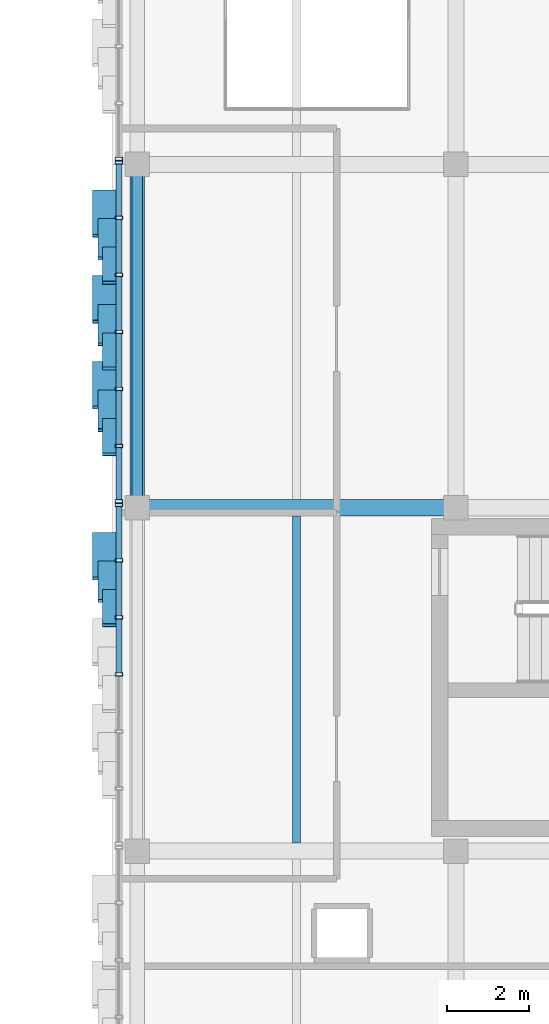
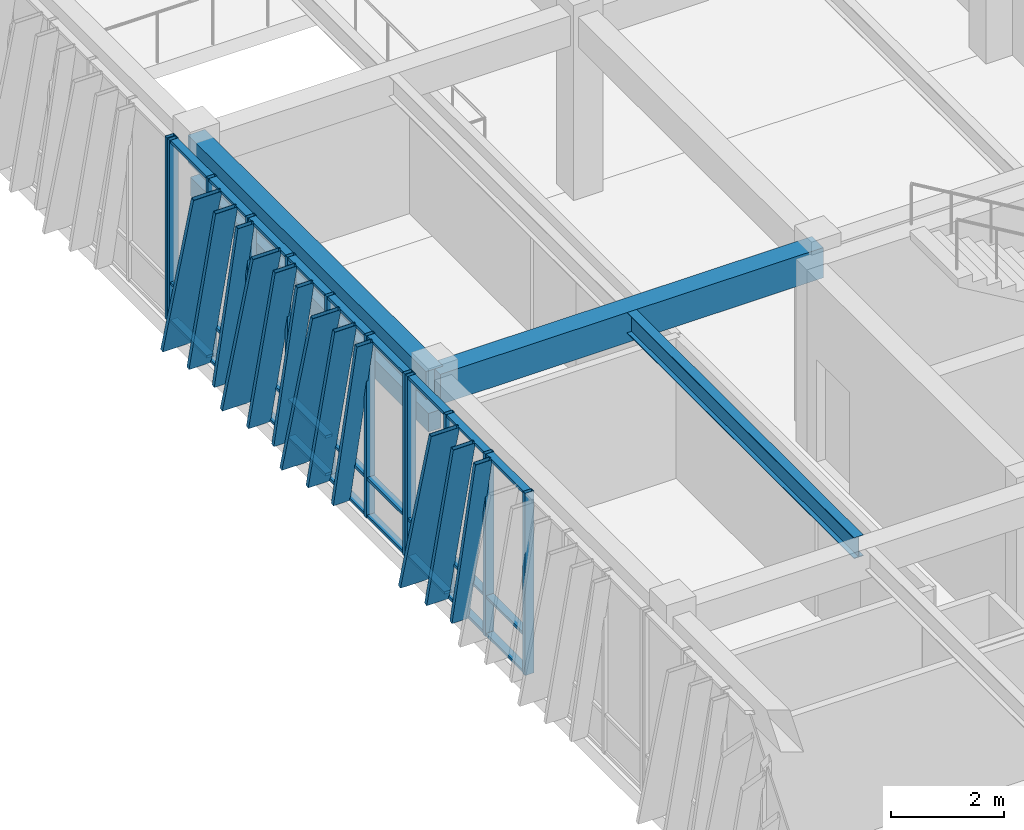
# One storey, part 31 of 127: 51 members, 4 beams, 3 elements without a shape of their own.
"""IFC4 building model written with IfcOpenShell, lengths in metres."""

from ifc_helpers import new_model, si_unit, direction, frame, origin, origin_2d, place, context, subcontext, project, spatial, rectangle, hollow_rectangle, i_section, extrude, material, layer, layer_set, material_profile, profile_set, type_object, element, aggregate, save


model = new_model("IFC4")

# Units and contexts
model_context = context("Model", 3, precision=1e-05, world=origin(), true_north=direction((0.0, 1.0)))
body_context = subcontext(model_context, "Body", "Model", "MODEL_VIEW")
ifc_project = project(units=[si_unit("LENGTHUNIT", "METRE"), si_unit("AREAUNIT", "SQUARE_METRE"), si_unit("VOLUMEUNIT", "CUBIC_METRE"), si_unit("PLANEANGLEUNIT", "RADIAN"), si_unit("MASSUNIT", "GRAM", prefix="KILO")], contexts=[model_context])

# Site, building, storey
site_placement = place(None, origin())
site = spatial("IfcSite", under=ifc_project, at=site_placement, CompositionType="ELEMENT")
building_placement = place(site_placement, origin())
building = spatial("IfcBuilding", under=site, at=building_placement, Name="Zayran Congress Hotel", CompositionType="ELEMENT")
storey_placement = place(building_placement, frame((0.0, 0.0, 10.800048828125)))
storey = spatial("IfcBuildingStorey", under=building, at=storey_placement, Name="L02", CompositionType="ELEMENT", Elevation=10.800048828125)

# Beams
ifc_material_1 = material(Name="Concrete C40/50", Category="concrete")
ifc_material_profile_1 = material_profile(ifc_material_1, rectangle(XDim=0.39990234375, YDim=0.64990234375, at=origin_2d()), Name="RC 400x650")
ifc_profile_set_1 = profile_set([ifc_material_profile_1], Name="Concrete C40/50")
beam_type_1 = type_object("IfcBeamType", Name="TP-BM-03", PredefinedType="BEAM", material=ifc_profile_set_1)
beam_1_placement = place(storey_placement, frame((109.800048828125, 59.199951171875, 3.594970703125), z_axis=(1.0, 0.0, 0.0), x_axis=(0.0, 1.0, 0.0)))
element("IfcBeam", 1, at=beam_1_placement, inside=storey, type_object=beam_type_1, Name="BM-V4-L02-1418", PredefinedType="BEAM", context=body_context, shape_type="SweptSolid", body=[
    extrude(rectangle(XDim=0.39990234375, YDim=0.64990234375, at=origin_2d()), origin(), (0.0, 0.0, 1.0), 7.800048828125),
])
ifc_material_profile_2 = material_profile(ifc_material_1, rectangle(XDim=0.35009765625, YDim=0.60009765625, at=origin_2d()), Name="RC 350x600")
ifc_profile_set_2 = profile_set([ifc_material_profile_2], Name="Concrete C40/50")
beam_type_2 = type_object("IfcBeamType", Name="TP-SP-01", PredefinedType="SPANDREL", material=ifc_profile_set_2)
beam_2_placement = place(storey_placement, frame((109.800048828125, 59.199951171875, 3.619873046875), z_axis=(0.0, 1.0, 0.0), x_axis=(-1.0, 0.0, 0.0)))
element("IfcBeam", 2, at=beam_2_placement, inside=storey, type_object=beam_type_2, Name="BM-V4-L02-1441", PredefinedType="SPANDREL", context=body_context, shape_type="SweptSolid", body=[
    extrude(rectangle(XDim=0.35009765625, YDim=0.60009765625, at=origin_2d()), origin(), (0.0, 0.0, 1.0), 8.400146484375),
])
ifc_material_profile_3 = material_profile(ifc_material_1, rectangle(XDim=0.25, YDim=0.39990234375, at=origin_2d()), Name="RC 250x400")
ifc_profile_set_3 = profile_set([ifc_material_profile_3], Name="Concrete C40/50")
beam_type_3 = type_object("IfcBeamType", Name="TP-LN-01", PredefinedType="LINTEL", material=ifc_profile_set_3)
beam_3_placement = place(storey_placement, frame((109.800048828125, 59.199951171875, 2.800048828125), z_axis=(0.0, 1.0, 0.0), x_axis=(-1.0, 0.0, 0.0)))
element("IfcBeam", 3, at=beam_3_placement, inside=storey, type_object=beam_type_3, Name="BM-LIN-10", PredefinedType="LINTEL", context=body_context, shape_type="SweptSolid", body=[
    extrude(rectangle(XDim=0.25, YDim=0.39990234375, at=origin_2d()), origin(), (0.0, 0.0, 1.0), 8.400146484375),
])
ifc_material_2 = material(Name="Steel S355", Category="steel")
ifc_material_profile_4 = material_profile(ifc_material_2, i_section(OverallWidth=0.18994140625, OverallDepth=0.449951171875, WebThickness=0.009521484375, FlangeThickness=0.0146484375, at=origin_2d()), Name="IPE 450")
ifc_profile_set_4 = profile_set([ifc_material_profile_4], Name="Steel S355")
beam_type_4 = type_object("IfcBeamType", Name="TP-JS-02", PredefinedType="JOIST", material=ifc_profile_set_4)
beam_4_placement = place(storey_placement, frame((113.699951171875, 51.0, 3.695068359375), z_axis=(0.0, 1.0, 0.0), x_axis=(-1.0, 0.0, 0.0)))
element("IfcBeam", 4, at=beam_4_placement, inside=storey, type_object=beam_type_4, Name="JST-V4-L02-1470", PredefinedType="JOIST", context=body_context, shape_type="SweptSolid", body=[
    extrude(i_section(OverallWidth=0.18994140625, OverallDepth=0.449951171875, WebThickness=0.009521484375, FlangeThickness=0.0146484375, at=origin_2d()), origin(), (0.0, 0.0, 1.0), 8.0),
])

# Curtain wall, members
ifc_material_3 = material(Name="Anodised aluminium and low-E insulated glass", Category="aluminium")
ifc_layer_1 = layer(ifc_material_3, 0.179931640625)
ifc_layer_set_1 = layer_set([ifc_layer_1], Name="Anodised aluminium and low-E insulated glass")
curtain_wall_type_1 = type_object("IfcCurtainWallType", Name="CW-V4W-L02-CW-52-8371-3920", PredefinedType="USERDEFINED", material=ifc_layer_set_1)
curtain_wall_1_placement = place(storey_placement, origin())
curtain_wall_1 = element("IfcCurtainWall", 5, at=curtain_wall_1_placement, inside=storey, type_object=curtain_wall_type_1, Name="CW-V4W-L02-1", ObjectType="CURTAIN WALL", PredefinedType="USERDEFINED")
ifc_material_4 = material(Name="Anodised aluminium framing", Category="aluminium")
ifc_material_profile_5 = material_profile(ifc_material_4, hollow_rectangle(XDim=0.080078125, YDim=0.179931640625, WallThickness=0.0048828125, at=origin_2d()), Name="RHS 180x80x5")
ifc_profile_set_5 = profile_set([ifc_material_profile_5], Name="Anodised aluminium framing")
member_type_1 = type_object("IfcMemberType", Name="TP-CWM-01", PredefinedType="MULLION", material=ifc_profile_set_5)
member_1_placement = place(storey_placement, frame((109.35009765625, 59.26708984375, 0.0), z_axis=(0.0, 0.0, 1.0), x_axis=(0.0, 1.0, 0.0)))
member_1 = element("IfcMember", 6, at=member_1_placement, type_object=member_type_1, Name="CW-V4W-L02-1-M00", PredefinedType="MULLION", context=body_context, shape_type="SweptSolid", body=[
    extrude(hollow_rectangle(XDim=0.080078125, YDim=0.179931640625, WallThickness=0.0048828125, at=origin_2d()), origin(), (0.0, 0.0, 1.0), 3.919921875),
])
member_2_placement = place(storey_placement, frame((109.35009765625, 57.911865234375, 0.0), z_axis=(0.0, 0.0, 1.0), x_axis=(0.0, 1.0, 0.0)))
member_2 = element("IfcMember", 7, at=member_2_placement, type_object=member_type_1, Name="CW-V4W-L02-1-M01", PredefinedType="MULLION", context=body_context, shape_type="SweptSolid", body=[
    extrude(hollow_rectangle(XDim=0.080078125, YDim=0.179931640625, WallThickness=0.0048828125, at=origin_2d()), origin(), (0.0, 0.0, 1.0), 3.919921875),
])
member_3_placement = place(storey_placement, frame((109.35009765625, 56.5166015625, 0.0), z_axis=(0.0, 0.0, 1.0), x_axis=(0.0, 1.0, 0.0)))
member_3 = element("IfcMember", 8, at=member_3_placement, type_object=member_type_1, Name="CW-V4W-L02-1-M02", PredefinedType="MULLION", context=body_context, shape_type="SweptSolid", body=[
    extrude(hollow_rectangle(XDim=0.080078125, YDim=0.179931640625, WallThickness=0.0048828125, at=origin_2d()), origin(), (0.0, 0.0, 1.0), 3.919921875),
])
member_4_placement = place(storey_placement, frame((109.35009765625, 55.12158203125, 0.0), z_axis=(0.0, 0.0, 1.0), x_axis=(0.0, 1.0, 0.0)))
member_4 = element("IfcMember", 9, at=member_4_placement, type_object=member_type_1, Name="CW-V4W-L02-1-M03", PredefinedType="MULLION", context=body_context, shape_type="SweptSolid", body=[
    extrude(hollow_rectangle(XDim=0.080078125, YDim=0.179931640625, WallThickness=0.0048828125, at=origin_2d()), origin(), (0.0, 0.0, 1.0), 3.919921875),
])

ifc_layer_2 = layer(ifc_material_3, 0.179931640625)
ifc_layer_set_2 = layer_set([ifc_layer_2], Name="Anodised aluminium and low-E insulated glass")
curtain_wall_type_2 = type_object("IfcCurtainWallType", Name="CW-V4W-L02-CW-53-8372-3920", PredefinedType="USERDEFINED", material=ifc_layer_set_2)
curtain_wall_2_placement = place(storey_placement, origin())
curtain_wall_2 = element("IfcCurtainWall", 10, at=curtain_wall_2_placement, inside=storey, type_object=curtain_wall_type_2, Name="CW-V4W-L02-2", ObjectType="CURTAIN WALL", PredefinedType="USERDEFINED")
member_5_placement = place(storey_placement, frame((109.35009765625, 67.64892578125, 0.0), z_axis=(0.0, 0.0, 1.0), x_axis=(0.0, 1.0, 0.0)))
member_5 = element("IfcMember", 11, at=member_5_placement, type_object=member_type_1, Name="CW-V4W-L02-2-M00", PredefinedType="MULLION", context=body_context, shape_type="SweptSolid", body=[
    extrude(hollow_rectangle(XDim=0.080078125, YDim=0.179931640625, WallThickness=0.0048828125, at=origin_2d()), origin(), (0.0, 0.0, 1.0), 3.919921875),
])
member_6_placement = place(storey_placement, frame((109.35009765625, 66.293701171875, 0.0), z_axis=(0.0, 0.0, 1.0), x_axis=(0.0, 1.0, 0.0)))
member_6 = element("IfcMember", 12, at=member_6_placement, type_object=member_type_1, Name="CW-V4W-L02-2-M01", PredefinedType="MULLION", context=body_context, shape_type="SweptSolid", body=[
    extrude(hollow_rectangle(XDim=0.080078125, YDim=0.179931640625, WallThickness=0.0048828125, at=origin_2d()), origin(), (0.0, 0.0, 1.0), 3.919921875),
])
member_7_placement = place(storey_placement, frame((109.35009765625, 64.898193359375, 0.0), z_axis=(0.0, 0.0, 1.0), x_axis=(0.0, 1.0, 0.0)))
member_7 = element("IfcMember", 13, at=member_7_placement, type_object=member_type_1, Name="CW-V4W-L02-2-M02", PredefinedType="MULLION", context=body_context, shape_type="SweptSolid", body=[
    extrude(hollow_rectangle(XDim=0.080078125, YDim=0.179931640625, WallThickness=0.0048828125, at=origin_2d()), origin(), (0.0, 0.0, 1.0), 3.919921875),
])
member_8_placement = place(storey_placement, frame((109.35009765625, 63.5029296875, 0.0), z_axis=(0.0, 0.0, 1.0), x_axis=(0.0, 1.0, 0.0)))
member_8 = element("IfcMember", 14, at=member_8_placement, type_object=member_type_1, Name="CW-V4W-L02-2-M03", PredefinedType="MULLION", context=body_context, shape_type="SweptSolid", body=[
    extrude(hollow_rectangle(XDim=0.080078125, YDim=0.179931640625, WallThickness=0.0048828125, at=origin_2d()), origin(), (0.0, 0.0, 1.0), 3.919921875),
])
member_9_placement = place(storey_placement, frame((109.35009765625, 62.107666015625, 0.0), z_axis=(0.0, 0.0, 1.0), x_axis=(0.0, 1.0, 0.0)))
member_9 = element("IfcMember", 15, at=member_9_placement, type_object=member_type_1, Name="CW-V4W-L02-2-M04", PredefinedType="MULLION", context=body_context, shape_type="SweptSolid", body=[
    extrude(hollow_rectangle(XDim=0.080078125, YDim=0.179931640625, WallThickness=0.0048828125, at=origin_2d()), origin(), (0.0, 0.0, 1.0), 3.919921875),
])
member_10_placement = place(storey_placement, frame((109.35009765625, 60.71240234375, 0.0), z_axis=(0.0, 0.0, 1.0), x_axis=(0.0, 1.0, 0.0)))
member_10 = element("IfcMember", 16, at=member_10_placement, type_object=member_type_1, Name="CW-V4W-L02-2-M05", PredefinedType="MULLION", context=body_context, shape_type="SweptSolid", body=[
    extrude(hollow_rectangle(XDim=0.080078125, YDim=0.179931640625, WallThickness=0.0048828125, at=origin_2d()), origin(), (0.0, 0.0, 1.0), 3.919921875),
])
member_11_placement = place(storey_placement, frame((109.35009765625, 59.35693359375, 0.0), z_axis=(0.0, 0.0, 1.0), x_axis=(0.0, 1.0, 0.0)))
member_11 = element("IfcMember", 17, at=member_11_placement, type_object=member_type_1, Name="CW-V4W-L02-2-M06", PredefinedType="MULLION", context=body_context, shape_type="SweptSolid", body=[
    extrude(hollow_rectangle(XDim=0.080078125, YDim=0.179931640625, WallThickness=0.0048828125, at=origin_2d()), origin(), (0.0, 0.0, 1.0), 3.919921875),
])

# Curtain wall, member
ifc_layer_3 = layer(ifc_material_3, 0.179931640625)
ifc_layer_set_3 = layer_set([ifc_layer_3], Name="Anodised aluminium and low-E insulated glass")
curtain_wall_type_3 = type_object("IfcCurtainWallType", Name="CW-V4W-L02-CW-51-8371-3920", PredefinedType="USERDEFINED", material=ifc_layer_set_3)
curtain_wall_3_placement = place(storey_placement, origin())
curtain_wall_3 = element("IfcCurtainWall", 18, at=curtain_wall_3_placement, inside=storey, type_object=curtain_wall_type_3, Name="CW-V4W-L02-3", ObjectType="CURTAIN WALL", PredefinedType="USERDEFINED")
member_12_placement = place(storey_placement, frame((109.35009765625, 67.739013671875, 0.0), z_axis=(0.0, 0.0, 1.0), x_axis=(0.0, 1.0, 0.0)))
member_12 = element("IfcMember", 19, at=member_12_placement, type_object=member_type_1, Name="CW-V4W-L02-3-M06", PredefinedType="MULLION", context=body_context, shape_type="SweptSolid", body=[
    extrude(hollow_rectangle(XDim=0.080078125, YDim=0.179931640625, WallThickness=0.0048828125, at=origin_2d()), origin(), (0.0, 0.0, 1.0), 3.919921875),
])
aggregate(curtain_wall_3, [member_12])

# Member
ifc_material_profile_6 = material_profile(ifc_material_4, hollow_rectangle(XDim=0.06005859375, YDim=0.14990234375, WallThickness=0.00390625, at=origin_2d()), Name="RHS 150x60x4")
ifc_profile_set_6 = profile_set([ifc_material_profile_6], Name="Anodised aluminium framing")
member_type_2 = type_object("IfcMemberType", Name="TP-CWT-01", PredefinedType="USERDEFINED", material=ifc_profile_set_6)
member_13_placement = place(storey_placement, frame((109.35009765625, 59.22705078125, 0.030029296875), z_axis=(0.0, -1.0, 0.0), x_axis=(0.0, 0.0, 1.0)))
member_13 = element("IfcMember", 20, at=member_13_placement, type_object=member_type_2, Name="CW-V4W-L02-1-T00-0", ObjectType="TRANSOM", PredefinedType="USERDEFINED", context=body_context, shape_type="SweptSolid", body=[
    extrude(hollow_rectangle(XDim=0.06005859375, YDim=0.14990234375, WallThickness=0.00390625, at=origin_2d()), origin(), (0.0, 0.0, 1.0), 1.275146484375),
])

member_14_placement = place(storey_placement, frame((109.35009765625, 59.22705078125, 0.83984375), z_axis=(0.0, -1.0, 0.0), x_axis=(0.0, 0.0, 1.0)))
member_14 = element("IfcMember", 21, at=member_14_placement, type_object=member_type_2, Name="CW-V4W-L02-1-T00-1", ObjectType="TRANSOM", PredefinedType="USERDEFINED", context=body_context, shape_type="SweptSolid", body=[
    extrude(hollow_rectangle(XDim=0.06005859375, YDim=0.14990234375, WallThickness=0.00390625, at=origin_2d()), origin(), (0.0, 0.0, 1.0), 1.275146484375),
])

member_15_placement = place(storey_placement, frame((109.35009765625, 59.22705078125, 3.889892578125), z_axis=(0.0, -1.0, 0.0), x_axis=(0.0, 0.0, 1.0)))
member_15 = element("IfcMember", 22, at=member_15_placement, type_object=member_type_2, Name="CW-V4W-L02-1-T00-2", ObjectType="TRANSOM", PredefinedType="USERDEFINED", context=body_context, shape_type="SweptSolid", body=[
    extrude(hollow_rectangle(XDim=0.06005859375, YDim=0.14990234375, WallThickness=0.00390625, at=origin_2d()), origin(), (0.0, 0.0, 1.0), 1.275146484375),
])

member_16_placement = place(storey_placement, frame((109.35009765625, 57.871826171875, 0.030029296875), z_axis=(0.0, -1.0, 0.0), x_axis=(0.0, 0.0, 1.0)))
member_16 = element("IfcMember", 23, at=member_16_placement, type_object=member_type_2, Name="CW-V4W-L02-1-T01-0", ObjectType="TRANSOM", PredefinedType="USERDEFINED", context=body_context, shape_type="SweptSolid", body=[
    extrude(hollow_rectangle(XDim=0.06005859375, YDim=0.14990234375, WallThickness=0.00390625, at=origin_2d()), origin(), (0.0, 0.0, 1.0), 1.315185546875),
])

member_17_placement = place(storey_placement, frame((109.35009765625, 57.871826171875, 0.83984375), z_axis=(0.0, -1.0, 0.0), x_axis=(0.0, 0.0, 1.0)))
member_17 = element("IfcMember", 24, at=member_17_placement, type_object=member_type_2, Name="CW-V4W-L02-1-T01-1", ObjectType="TRANSOM", PredefinedType="USERDEFINED", context=body_context, shape_type="SweptSolid", body=[
    extrude(hollow_rectangle(XDim=0.06005859375, YDim=0.14990234375, WallThickness=0.00390625, at=origin_2d()), origin(), (0.0, 0.0, 1.0), 1.315185546875),
])

member_18_placement = place(storey_placement, frame((109.35009765625, 57.871826171875, 3.889892578125), z_axis=(0.0, -1.0, 0.0), x_axis=(0.0, 0.0, 1.0)))
member_18 = element("IfcMember", 25, at=member_18_placement, type_object=member_type_2, Name="CW-V4W-L02-1-T01-2", ObjectType="TRANSOM", PredefinedType="USERDEFINED", context=body_context, shape_type="SweptSolid", body=[
    extrude(hollow_rectangle(XDim=0.06005859375, YDim=0.14990234375, WallThickness=0.00390625, at=origin_2d()), origin(), (0.0, 0.0, 1.0), 1.315185546875),
])

member_19_placement = place(storey_placement, frame((109.35009765625, 56.476806640625, 0.030029296875), z_axis=(0.0, -1.0, 0.0), x_axis=(0.0, 0.0, 1.0)))
member_19 = element("IfcMember", 26, at=member_19_placement, type_object=member_type_2, Name="CW-V4W-L02-1-T02-0", ObjectType="TRANSOM", PredefinedType="USERDEFINED", context=body_context, shape_type="SweptSolid", body=[
    extrude(hollow_rectangle(XDim=0.06005859375, YDim=0.14990234375, WallThickness=0.00390625, at=origin_2d()), origin(), (0.0, 0.0, 1.0), 1.315185546875),
])

member_20_placement = place(storey_placement, frame((109.35009765625, 56.476806640625, 0.83984375), z_axis=(0.0, -1.0, 0.0), x_axis=(0.0, 0.0, 1.0)))
member_20 = element("IfcMember", 27, at=member_20_placement, type_object=member_type_2, Name="CW-V4W-L02-1-T02-1", ObjectType="TRANSOM", PredefinedType="USERDEFINED", context=body_context, shape_type="SweptSolid", body=[
    extrude(hollow_rectangle(XDim=0.06005859375, YDim=0.14990234375, WallThickness=0.00390625, at=origin_2d()), origin(), (0.0, 0.0, 1.0), 1.315185546875),
])

member_21_placement = place(storey_placement, frame((109.35009765625, 56.476806640625, 3.889892578125), z_axis=(0.0, -1.0, 0.0), x_axis=(0.0, 0.0, 1.0)))
member_21 = element("IfcMember", 28, at=member_21_placement, type_object=member_type_2, Name="CW-V4W-L02-1-T02-2", ObjectType="TRANSOM", PredefinedType="USERDEFINED", context=body_context, shape_type="SweptSolid", body=[
    extrude(hollow_rectangle(XDim=0.06005859375, YDim=0.14990234375, WallThickness=0.00390625, at=origin_2d()), origin(), (0.0, 0.0, 1.0), 1.315185546875),
])

member_22_placement = place(storey_placement, frame((109.35009765625, 67.60888671875, 0.030029296875), z_axis=(0.0, -1.0, 0.0), x_axis=(0.0, 0.0, 1.0)))
member_22 = element("IfcMember", 29, at=member_22_placement, type_object=member_type_2, Name="CW-V4W-L02-2-T00-0", ObjectType="TRANSOM", PredefinedType="USERDEFINED", context=body_context, shape_type="SweptSolid", body=[
    extrude(hollow_rectangle(XDim=0.06005859375, YDim=0.14990234375, WallThickness=0.00390625, at=origin_2d()), origin(), (0.0, 0.0, 1.0), 1.275146484375),
])

member_23_placement = place(storey_placement, frame((109.35009765625, 67.60888671875, 0.83984375), z_axis=(0.0, -1.0, 0.0), x_axis=(0.0, 0.0, 1.0)))
member_23 = element("IfcMember", 30, at=member_23_placement, type_object=member_type_2, Name="CW-V4W-L02-2-T00-1", ObjectType="TRANSOM", PredefinedType="USERDEFINED", context=body_context, shape_type="SweptSolid", body=[
    extrude(hollow_rectangle(XDim=0.06005859375, YDim=0.14990234375, WallThickness=0.00390625, at=origin_2d()), origin(), (0.0, 0.0, 1.0), 1.275146484375),
])

member_24_placement = place(storey_placement, frame((109.35009765625, 67.60888671875, 3.889892578125), z_axis=(0.0, -1.0, 0.0), x_axis=(0.0, 0.0, 1.0)))
member_24 = element("IfcMember", 31, at=member_24_placement, type_object=member_type_2, Name="CW-V4W-L02-2-T00-2", ObjectType="TRANSOM", PredefinedType="USERDEFINED", context=body_context, shape_type="SweptSolid", body=[
    extrude(hollow_rectangle(XDim=0.06005859375, YDim=0.14990234375, WallThickness=0.00390625, at=origin_2d()), origin(), (0.0, 0.0, 1.0), 1.275146484375),
])

member_25_placement = place(storey_placement, frame((109.35009765625, 66.253662109375, 0.030029296875), z_axis=(0.0, -1.0, 0.0), x_axis=(0.0, 0.0, 1.0)))
member_25 = element("IfcMember", 32, at=member_25_placement, type_object=member_type_2, Name="CW-V4W-L02-2-T01-0", ObjectType="TRANSOM", PredefinedType="USERDEFINED", context=body_context, shape_type="SweptSolid", body=[
    extrude(hollow_rectangle(XDim=0.06005859375, YDim=0.14990234375, WallThickness=0.00390625, at=origin_2d()), origin(), (0.0, 0.0, 1.0), 1.3154296875),
])

member_26_placement = place(storey_placement, frame((109.35009765625, 66.253662109375, 0.83984375), z_axis=(0.0, -1.0, 0.0), x_axis=(0.0, 0.0, 1.0)))
member_26 = element("IfcMember", 33, at=member_26_placement, type_object=member_type_2, Name="CW-V4W-L02-2-T01-1", ObjectType="TRANSOM", PredefinedType="USERDEFINED", context=body_context, shape_type="SweptSolid", body=[
    extrude(hollow_rectangle(XDim=0.06005859375, YDim=0.14990234375, WallThickness=0.00390625, at=origin_2d()), origin(), (0.0, 0.0, 1.0), 1.3154296875),
])

member_27_placement = place(storey_placement, frame((109.35009765625, 66.253662109375, 3.889892578125), z_axis=(0.0, -1.0, 0.0), x_axis=(0.0, 0.0, 1.0)))
member_27 = element("IfcMember", 34, at=member_27_placement, type_object=member_type_2, Name="CW-V4W-L02-2-T01-2", ObjectType="TRANSOM", PredefinedType="USERDEFINED", context=body_context, shape_type="SweptSolid", body=[
    extrude(hollow_rectangle(XDim=0.06005859375, YDim=0.14990234375, WallThickness=0.00390625, at=origin_2d()), origin(), (0.0, 0.0, 1.0), 1.3154296875),
])

member_28_placement = place(storey_placement, frame((109.35009765625, 64.8583984375, 0.030029296875), z_axis=(0.0, -1.0, 0.0), x_axis=(0.0, 0.0, 1.0)))
member_28 = element("IfcMember", 35, at=member_28_placement, type_object=member_type_2, Name="CW-V4W-L02-2-T02-0", ObjectType="TRANSOM", PredefinedType="USERDEFINED", context=body_context, shape_type="SweptSolid", body=[
    extrude(hollow_rectangle(XDim=0.06005859375, YDim=0.14990234375, WallThickness=0.00390625, at=origin_2d()), origin(), (0.0, 0.0, 1.0), 1.3154296875),
])

member_29_placement = place(storey_placement, frame((109.35009765625, 64.8583984375, 0.83984375), z_axis=(0.0, -1.0, 0.0), x_axis=(0.0, 0.0, 1.0)))
member_29 = element("IfcMember", 36, at=member_29_placement, type_object=member_type_2, Name="CW-V4W-L02-2-T02-1", ObjectType="TRANSOM", PredefinedType="USERDEFINED", context=body_context, shape_type="SweptSolid", body=[
    extrude(hollow_rectangle(XDim=0.06005859375, YDim=0.14990234375, WallThickness=0.00390625, at=origin_2d()), origin(), (0.0, 0.0, 1.0), 1.3154296875),
])

member_30_placement = place(storey_placement, frame((109.35009765625, 64.8583984375, 3.889892578125), z_axis=(0.0, -1.0, 0.0), x_axis=(0.0, 0.0, 1.0)))
member_30 = element("IfcMember", 37, at=member_30_placement, type_object=member_type_2, Name="CW-V4W-L02-2-T02-2", ObjectType="TRANSOM", PredefinedType="USERDEFINED", context=body_context, shape_type="SweptSolid", body=[
    extrude(hollow_rectangle(XDim=0.06005859375, YDim=0.14990234375, WallThickness=0.00390625, at=origin_2d()), origin(), (0.0, 0.0, 1.0), 1.3154296875),
])

member_31_placement = place(storey_placement, frame((109.35009765625, 63.462890625, 0.030029296875), z_axis=(0.0, -1.0, 0.0), x_axis=(0.0, 0.0, 1.0)))
member_31 = element("IfcMember", 38, at=member_31_placement, type_object=member_type_2, Name="CW-V4W-L02-2-T03-0", ObjectType="TRANSOM", PredefinedType="USERDEFINED", context=body_context, shape_type="SweptSolid", body=[
    extrude(hollow_rectangle(XDim=0.06005859375, YDim=0.14990234375, WallThickness=0.00390625, at=origin_2d()), origin(), (0.0, 0.0, 1.0), 1.315185546875),
])

member_32_placement = place(storey_placement, frame((109.35009765625, 63.462890625, 0.83984375), z_axis=(0.0, -1.0, 0.0), x_axis=(0.0, 0.0, 1.0)))
member_32 = element("IfcMember", 39, at=member_32_placement, type_object=member_type_2, Name="CW-V4W-L02-2-T03-1", ObjectType="TRANSOM", PredefinedType="USERDEFINED", context=body_context, shape_type="SweptSolid", body=[
    extrude(hollow_rectangle(XDim=0.06005859375, YDim=0.14990234375, WallThickness=0.00390625, at=origin_2d()), origin(), (0.0, 0.0, 1.0), 1.315185546875),
])

member_33_placement = place(storey_placement, frame((109.35009765625, 63.462890625, 3.889892578125), z_axis=(0.0, -1.0, 0.0), x_axis=(0.0, 0.0, 1.0)))
member_33 = element("IfcMember", 40, at=member_33_placement, type_object=member_type_2, Name="CW-V4W-L02-2-T03-2", ObjectType="TRANSOM", PredefinedType="USERDEFINED", context=body_context, shape_type="SweptSolid", body=[
    extrude(hollow_rectangle(XDim=0.06005859375, YDim=0.14990234375, WallThickness=0.00390625, at=origin_2d()), origin(), (0.0, 0.0, 1.0), 1.315185546875),
])

member_34_placement = place(storey_placement, frame((109.35009765625, 62.067626953125, 0.030029296875), z_axis=(0.0, -1.0, 0.0), x_axis=(0.0, 0.0, 1.0)))
member_34 = element("IfcMember", 41, at=member_34_placement, type_object=member_type_2, Name="CW-V4W-L02-2-T04-0", ObjectType="TRANSOM", PredefinedType="USERDEFINED", context=body_context, shape_type="SweptSolid", body=[
    extrude(hollow_rectangle(XDim=0.06005859375, YDim=0.14990234375, WallThickness=0.00390625, at=origin_2d()), origin(), (0.0, 0.0, 1.0), 1.3154296875),
])

member_35_placement = place(storey_placement, frame((109.35009765625, 62.067626953125, 0.83984375), z_axis=(0.0, -1.0, 0.0), x_axis=(0.0, 0.0, 1.0)))
member_35 = element("IfcMember", 42, at=member_35_placement, type_object=member_type_2, Name="CW-V4W-L02-2-T04-1", ObjectType="TRANSOM", PredefinedType="USERDEFINED", context=body_context, shape_type="SweptSolid", body=[
    extrude(hollow_rectangle(XDim=0.06005859375, YDim=0.14990234375, WallThickness=0.00390625, at=origin_2d()), origin(), (0.0, 0.0, 1.0), 1.3154296875),
])

member_36_placement = place(storey_placement, frame((109.35009765625, 62.067626953125, 3.889892578125), z_axis=(0.0, -1.0, 0.0), x_axis=(0.0, 0.0, 1.0)))
member_36 = element("IfcMember", 43, at=member_36_placement, type_object=member_type_2, Name="CW-V4W-L02-2-T04-2", ObjectType="TRANSOM", PredefinedType="USERDEFINED", context=body_context, shape_type="SweptSolid", body=[
    extrude(hollow_rectangle(XDim=0.06005859375, YDim=0.14990234375, WallThickness=0.00390625, at=origin_2d()), origin(), (0.0, 0.0, 1.0), 1.3154296875),
])

member_37_placement = place(storey_placement, frame((109.35009765625, 60.67236328125, 0.030029296875), z_axis=(0.0, -1.0, 0.0), x_axis=(0.0, 0.0, 1.0)))
member_37 = element("IfcMember", 44, at=member_37_placement, type_object=member_type_2, Name="CW-V4W-L02-2-T05-0", ObjectType="TRANSOM", PredefinedType="USERDEFINED", context=body_context, shape_type="SweptSolid", body=[
    extrude(hollow_rectangle(XDim=0.06005859375, YDim=0.14990234375, WallThickness=0.00390625, at=origin_2d()), origin(), (0.0, 0.0, 1.0), 1.275390625),
])

member_38_placement = place(storey_placement, frame((109.35009765625, 60.67236328125, 0.83984375), z_axis=(0.0, -1.0, 0.0), x_axis=(0.0, 0.0, 1.0)))
member_38 = element("IfcMember", 45, at=member_38_placement, type_object=member_type_2, Name="CW-V4W-L02-2-T05-1", ObjectType="TRANSOM", PredefinedType="USERDEFINED", context=body_context, shape_type="SweptSolid", body=[
    extrude(hollow_rectangle(XDim=0.06005859375, YDim=0.14990234375, WallThickness=0.00390625, at=origin_2d()), origin(), (0.0, 0.0, 1.0), 1.275390625),
])

member_39_placement = place(storey_placement, frame((109.35009765625, 60.67236328125, 3.889892578125), z_axis=(0.0, -1.0, 0.0), x_axis=(0.0, 0.0, 1.0)))
member_39 = element("IfcMember", 46, at=member_39_placement, type_object=member_type_2, Name="CW-V4W-L02-2-T05-2", ObjectType="TRANSOM", PredefinedType="USERDEFINED", context=body_context, shape_type="SweptSolid", body=[
    extrude(hollow_rectangle(XDim=0.06005859375, YDim=0.14990234375, WallThickness=0.00390625, at=origin_2d()), origin(), (0.0, 0.0, 1.0), 1.275390625),
])

ifc_material_5 = material(Name="Warm bronze anodised aluminium", Category="aluminium")
ifc_material_profile_7 = material_profile(ifc_material_5, hollow_rectangle(XDim=0.080078125, YDim=0.580078125, WallThickness=0.006103515625, at=origin_2d()), Name="RHS 580x80x6")
ifc_profile_set_7 = profile_set([ifc_material_profile_7], Name="Warm bronze anodised aluminium")
member_type_3 = type_object("IfcMemberType", Name="TP-RFN-01", PredefinedType="MULLION", material=ifc_profile_set_7)
member_40_placement = place(storey_placement, frame((109.0, 58.556884765625, 0.0), z_axis=(0.0, -0.26719808883, 0.963641624944), x_axis=(0.0, 0.963641624944, 0.26719808883)))
member_40 = element("IfcMember", 47, at=member_40_placement, type_object=member_type_3, Name="Slanting Reed Mullion CW-52-01", PredefinedType="MULLION", context=body_context, shape_type="SweptSolid", body=[
    extrude(hollow_rectangle(XDim=0.080078125, YDim=0.580078125, WallThickness=0.006103515625, at=origin_2d()), origin(), (0.0, 0.0, 1.0), 4.06787109375),
])

member_41_placement = place(storey_placement, frame((109.0, 66.93896484375, 0.0), z_axis=(0.0, -0.267253820088, 0.963626170072), x_axis=(0.0, 0.963626170072, 0.267253820088)))
member_41 = element("IfcMember", 48, at=member_41_placement, type_object=member_type_3, Name="Slanting Reed Mullion CW-53-01", PredefinedType="MULLION", context=body_context, shape_type="SweptSolid", body=[
    extrude(hollow_rectangle(XDim=0.080078125, YDim=0.580078125, WallThickness=0.006103515625, at=origin_2d()), origin(), (0.0, 0.0, 1.0), 4.06787109375),
])

member_42_placement = place(storey_placement, frame((109.0, 64.839111328125, 0.0), z_axis=(0.0, -0.267253820088, 0.963626170072), x_axis=(0.0, 0.963626170072, 0.267253820088)))
member_42 = element("IfcMember", 49, at=member_42_placement, type_object=member_type_3, Name="Slanting Reed Mullion CW-53-04", PredefinedType="MULLION", context=body_context, shape_type="SweptSolid", body=[
    extrude(hollow_rectangle(XDim=0.080078125, YDim=0.580078125, WallThickness=0.006103515625, at=origin_2d()), origin(), (0.0, 0.0, 1.0), 4.06787109375),
])

member_43_placement = place(storey_placement, frame((109.0, 62.739013671875, 0.0), z_axis=(0.0, -0.267253820088, 0.963626170072), x_axis=(0.0, 0.963626170072, 0.267253820088)))
member_43 = element("IfcMember", 50, at=member_43_placement, type_object=member_type_3, Name="Slanting Reed Mullion CW-53-07", PredefinedType="MULLION", context=body_context, shape_type="SweptSolid", body=[
    extrude(hollow_rectangle(XDim=0.080078125, YDim=0.580078125, WallThickness=0.006103515625, at=origin_2d()), origin(), (0.0, 0.0, 1.0), 4.06787109375),
])

ifc_material_profile_8 = material_profile(ifc_material_5, hollow_rectangle(XDim=0.080078125, YDim=0.449951171875, WallThickness=0.006103515625, at=origin_2d()), Name="RHS 450x80x6")
ifc_profile_set_8 = profile_set([ifc_material_profile_8], Name="Warm bronze anodised aluminium")
member_type_4 = type_object("IfcMemberType", Name="TP-RFN-02", PredefinedType="MULLION", material=ifc_profile_set_8)
member_44_placement = place(storey_placement, frame((109.06494140625, 57.85693359375, 0.0), z_axis=(0.0, -0.233405019846, 0.972379605252), x_axis=(0.0, 0.972379605252, 0.233405019846)))
member_44 = element("IfcMember", 51, at=member_44_placement, type_object=member_type_4, Name="Slanting Reed Mullion CW-52-02", PredefinedType="MULLION", context=body_context, shape_type="SweptSolid", body=[
    extrude(hollow_rectangle(XDim=0.080078125, YDim=0.449951171875, WallThickness=0.006103515625, at=origin_2d()), origin(), (0.0, 0.0, 1.0), 4.03125),
])

member_45_placement = place(storey_placement, frame((109.06494140625, 66.239013671875, 0.0), z_axis=(0.0, -0.233462281113, 0.972365858768), x_axis=(0.0, 0.972365858768, 0.233462281113)))
member_45 = element("IfcMember", 52, at=member_45_placement, type_object=member_type_4, Name="Slanting Reed Mullion CW-53-02", PredefinedType="MULLION", context=body_context, shape_type="SweptSolid", body=[
    extrude(hollow_rectangle(XDim=0.080078125, YDim=0.449951171875, WallThickness=0.006103515625, at=origin_2d()), origin(), (0.0, 0.0, 1.0), 4.03125),
])

member_46_placement = place(storey_placement, frame((109.06494140625, 64.138916015625, 0.0), z_axis=(0.0, -0.233405019846, 0.972379605252), x_axis=(0.0, 0.972379605252, 0.233405019846)))
member_46 = element("IfcMember", 53, at=member_46_placement, type_object=member_type_4, Name="Slanting Reed Mullion CW-53-05", PredefinedType="MULLION", context=body_context, shape_type="SweptSolid", body=[
    extrude(hollow_rectangle(XDim=0.080078125, YDim=0.449951171875, WallThickness=0.006103515625, at=origin_2d()), origin(), (0.0, 0.0, 1.0), 4.03125),
])

member_47_placement = place(storey_placement, frame((109.06494140625, 62.0390625, 0.0), z_axis=(0.0, -0.233462281113, 0.972365858768), x_axis=(0.0, 0.972365858768, 0.233462281113)))
member_47 = element("IfcMember", 54, at=member_47_placement, type_object=member_type_4, Name="Slanting Reed Mullion CW-53-08", PredefinedType="MULLION", context=body_context, shape_type="SweptSolid", body=[
    extrude(hollow_rectangle(XDim=0.080078125, YDim=0.449951171875, WallThickness=0.006103515625, at=origin_2d()), origin(), (0.0, 0.0, 1.0), 4.03125),
])

ifc_material_profile_9 = material_profile(ifc_material_5, hollow_rectangle(XDim=0.080078125, YDim=0.340087890625, WallThickness=0.006103515625, at=origin_2d()), Name="RHS 340x80x6")
ifc_profile_set_9 = profile_set([ifc_material_profile_9], Name="Warm bronze anodised aluminium")
member_type_5 = type_object("IfcMemberType", Name="TP-RFN-03", PredefinedType="MULLION", material=ifc_profile_set_9)
member_48_placement = place(storey_placement, frame((109.1201171875, 57.156982421875, 0.0), z_axis=(0.0, -0.207922873001, 0.978145223821), x_axis=(0.0, 0.978145223821, 0.207922873001)))
member_48 = element("IfcMember", 55, at=member_48_placement, type_object=member_type_5, Name="Slanting Reed Mullion CW-52-03", PredefinedType="MULLION", context=body_context, shape_type="SweptSolid", body=[
    extrude(hollow_rectangle(XDim=0.080078125, YDim=0.340087890625, WallThickness=0.006103515625, at=origin_2d()), origin(), (0.0, 0.0, 1.0), 4.007568359375),
])

aggregate(curtain_wall_1, [member_1, member_2, member_3, member_4, member_13, member_14, member_15, member_16, member_17, member_18, member_19, member_20, member_21, member_40, member_44, member_48])

member_49_placement = place(storey_placement, frame((109.1201171875, 65.5390625, 0.0), z_axis=(0.0, -0.207922873001, 0.978145223821), x_axis=(0.0, 0.978145223821, 0.207922873001)))
member_49 = element("IfcMember", 56, at=member_49_placement, type_object=member_type_5, Name="Slanting Reed Mullion CW-53-03", PredefinedType="MULLION", context=body_context, shape_type="SweptSolid", body=[
    extrude(hollow_rectangle(XDim=0.080078125, YDim=0.340087890625, WallThickness=0.006103515625, at=origin_2d()), origin(), (0.0, 0.0, 1.0), 4.007568359375),
])

member_50_placement = place(storey_placement, frame((109.1201171875, 63.43896484375, 0.0), z_axis=(0.0, -0.207922873001, 0.978145223821), x_axis=(0.0, 0.978145223821, 0.207922873001)))
member_50 = element("IfcMember", 57, at=member_50_placement, type_object=member_type_5, Name="Slanting Reed Mullion CW-53-06", PredefinedType="MULLION", context=body_context, shape_type="SweptSolid", body=[
    extrude(hollow_rectangle(XDim=0.080078125, YDim=0.340087890625, WallThickness=0.006103515625, at=origin_2d()), origin(), (0.0, 0.0, 1.0), 4.007568359375),
])

member_51_placement = place(storey_placement, frame((109.1201171875, 61.339111328125, 0.0), z_axis=(0.0, -0.207922873001, 0.978145223821), x_axis=(0.0, 0.978145223821, 0.207922873001)))
member_51 = element("IfcMember", 58, at=member_51_placement, type_object=member_type_5, Name="Slanting Reed Mullion CW-53-09", PredefinedType="MULLION", context=body_context, shape_type="SweptSolid", body=[
    extrude(hollow_rectangle(XDim=0.080078125, YDim=0.340087890625, WallThickness=0.006103515625, at=origin_2d()), origin(), (0.0, 0.0, 1.0), 4.007568359375),
])

aggregate(curtain_wall_2, [member_5, member_6, member_7, member_8, member_9, member_10, member_11, member_22, member_23, member_24, member_25, member_26, member_27, member_28, member_29, member_30, member_31, member_32, member_33, member_34, member_35, member_36, member_37, member_38, member_39, member_41, member_45, member_49, member_42, member_46, member_50, member_43, member_47, member_51])

save(model, "model.ifc")
